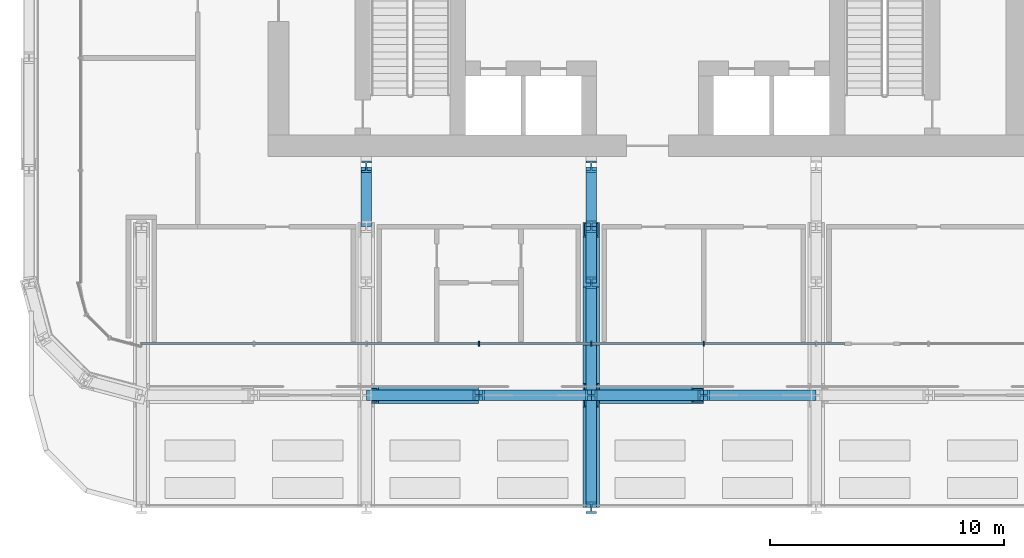
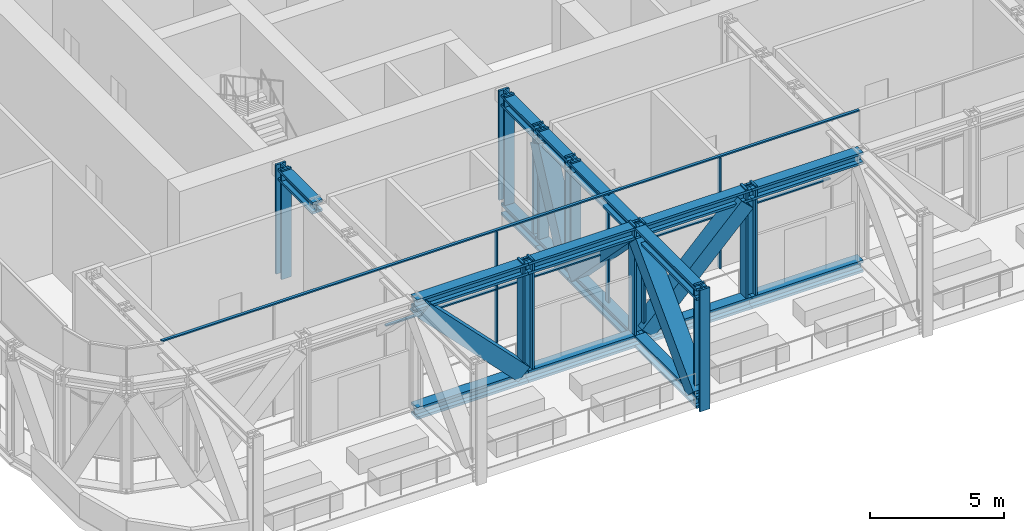
# One storey, part 2 of 23: 38 members, 1 element without a shape of its own.
"""IFC4 building model written with IfcOpenShell, lengths in metres."""

from ifc_helpers import new_model, si_unit, direction, frame, origin, origin_2d, place, context, subcontext, project, spatial, rectangle, hollow_rectangle, i_section, extrude, material, layer, layer_set, material_profile, profile_set, type_object, element, aggregate, save


model = new_model("IFC4")

# Units and contexts
model_context = context("Model", 3, precision=1e-05, world=origin(), true_north=direction((0.0, 1.0)))
body_context = subcontext(model_context, "Body", "Model", "MODEL_VIEW")
ifc_project = project(units=[si_unit("LENGTHUNIT", "METRE"), si_unit("AREAUNIT", "SQUARE_METRE"), si_unit("VOLUMEUNIT", "CUBIC_METRE"), si_unit("PLANEANGLEUNIT", "RADIAN"), si_unit("MASSUNIT", "GRAM", prefix="KILO")], contexts=[model_context])

# Site, building, storey
site_placement = place(None, origin())
site = spatial("IfcSite", under=ifc_project, at=site_placement, CompositionType="ELEMENT")
building_placement = place(site_placement, origin())
building = spatial("IfcBuilding", under=site, at=building_placement, Name="Madar Terraces", CompositionType="ELEMENT")
storey_placement = place(building_placement, frame((0.0, 0.0, 83.800048828125)))
storey = spatial("IfcBuildingStorey", under=building, at=storey_placement, Name="L21", CompositionType="ELEMENT", Elevation=83.800048828125)

# Members
ifc_material_1 = material(Name="Steel ASTM A913 Grade 65", Category="steel")
ifc_material_profile_1 = material_profile(ifc_material_1, i_section(OverallWidth=0.449462890625, OverallDepth=0.548583984375, WebThickness=0.07177734375, FlangeThickness=0.11474609375, at=origin_2d()), Name="W14x665")
ifc_profile_set_1 = profile_set([ifc_material_profile_1], Name="Steel ASTM A913 Grade 65")
member_type_1 = type_object("IfcMemberType", Name="BC3 W14x665", PredefinedType="CHORD", material=ifc_profile_set_1)
for number, where, z_axis, x_axis, name in (
    (1, (19.199951171875, 4.800048828125, -0.145751953125), (1.0, 0.0, 0.0), (0.0, 1.0, 0.0), "Exoskeleton truss ring bottom chord BC3"),
    (2, (24.0, 4.800048828125, -0.145751953125), (1.0, 0.0, 0.0), (0.0, 1.0, 0.0), "Exoskeleton truss ring bottom chord BC3"),
    (3, (28.800048828125, 4.800048828125, -0.145751953125), (1.0, 0.0, 0.0), (0.0, 1.0, 0.0), "Exoskeleton truss ring bottom chord BC3"),
):
    element("IfcMember", number, at=place(storey_placement, frame(where, z_axis=z_axis, x_axis=x_axis)), inside=storey, type_object=member_type_1, Name=name, PredefinedType="CHORD", context=body_context, shape_type="SweptSolid", body=[
        extrude(i_section(OverallWidth=0.449462890625, OverallDepth=0.548583984375, WebThickness=0.07177734375, FlangeThickness=0.11474609375, at=origin_2d()), origin(), (0.0, 0.0, 1.0), 4.800048828125),
    ])
member_1_placement = place(storey_placement, frame((33.60009765625, 4.800048828125, -0.145751953125), z_axis=(1.0, 0.0, 0.0), x_axis=(0.0, 1.0, 0.0)))
element("IfcMember", 4, at=member_1_placement, inside=storey, type_object=member_type_1, Name="Exoskeleton truss ring bottom chord BC3", PredefinedType="CHORD", context=body_context, shape_type="SweptSolid", body=[
    extrude(i_section(OverallWidth=0.449462890625, OverallDepth=0.548583984375, WebThickness=0.07177734375, FlangeThickness=0.11474609375, at=origin_2d()), origin(), (0.0, 0.0, 1.0), 4.7998046875),
])
for number, where, z_axis, x_axis, name in (
    (5, (28.800048828125, 0.0, -0.145751953125), (0.0, 1.0, 0.0), (-1.0, 0.0, 0.0), "Exoskeleton truss cross S28.8 bottom chord BC3"),
    (6, (28.800048828125, 5.02490234375, -0.145751953125), (0.0, 1.0, 0.0), (-1.0, 0.0, 0.0), "Exoskeleton truss cross S28.8 bottom chord BC3"),
):
    element("IfcMember", number, at=place(storey_placement, frame(where, z_axis=z_axis, x_axis=x_axis)), inside=storey, type_object=member_type_1, Name=name, PredefinedType="CHORD", context=body_context, shape_type="SweptSolid", body=[
        extrude(i_section(OverallWidth=0.449462890625, OverallDepth=0.548583984375, WebThickness=0.07177734375, FlangeThickness=0.11474609375, at=origin_2d()), origin(), (0.0, 0.0, 1.0), 4.5751953125),
    ])
member_2_placement = place(storey_placement, frame((28.800048828125, 9.60009765625, -0.145751953125), z_axis=(0.0, 1.0, 0.0), x_axis=(-1.0, 0.0, 0.0)))
element("IfcMember", 7, at=member_2_placement, inside=storey, type_object=member_type_1, Name="Exoskeleton truss cross S28.8 bottom chord BC3", PredefinedType="CHORD", context=body_context, shape_type="SweptSolid", body=[
    extrude(i_section(OverallWidth=0.449462890625, OverallDepth=0.548583984375, WebThickness=0.07177734375, FlangeThickness=0.11474609375, at=origin_2d()), origin(), (0.0, 0.0, 1.0), 2.39990234375),
])
member_3_placement = place(storey_placement, frame((28.800048828125, 12.0, -0.145751953125), z_axis=(0.0, 1.0, 0.0), x_axis=(-1.0, 0.0, 0.0)))
element("IfcMember", 8, at=member_3_placement, inside=storey, type_object=member_type_1, Name="Exoskeleton truss cross S28.8 bottom chord BC3", PredefinedType="CHORD", context=body_context, shape_type="SweptSolid", body=[
    extrude(i_section(OverallWidth=0.449462890625, OverallDepth=0.548583984375, WebThickness=0.07177734375, FlangeThickness=0.11474609375, at=origin_2d()), origin(), (0.0, 0.0, 1.0), 2.550048828125),
])

# Curtain wall, members
ifc_material_2 = material(Name="Glass, ceramic frit dark grey, with black aluminium frame", Category="aluminium")
ifc_layer = layer(ifc_material_2, 0.199951171875)
ifc_layer_set = layer_set([ifc_layer], Name="Facade curtain wall, tall glazing")
curtain_wall_type = type_object("IfcCurtainWallType", Name="Facade curtain wall, tall glazing", PredefinedType="NOTDEFINED", material=ifc_layer_set)
curtain_wall_placement = place(storey_placement, origin())
curtain_wall = element("IfcCurtainWall", 9, at=curtain_wall_placement, inside=storey, type_object=curtain_wall_type, Name="Outer skin curtain wall south bay 1", PredefinedType="NOTDEFINED")
ifc_material_3 = material(Name="Aluminium, black anodised", Category="aluminium")
ifc_material_profile_2 = material_profile(ifc_material_3, rectangle(XDim=0.199951171875, YDim=0.06005859375, at=origin_2d()), Name="Facade mullion 60x200")
ifc_profile_set_2 = profile_set([ifc_material_profile_2], Name="Aluminium, black anodised")
member_type_2 = type_object("IfcMemberType", Name="Facade mullion 60x200", PredefinedType="MULLION", material=ifc_profile_set_2)
member_4_placement = place(storey_placement, frame((24.0, 7.0, 0.0), z_axis=(0.0, 0.0, 1.0), x_axis=(0.0, 1.0, 0.0)))
member_4 = element("IfcMember", 10, at=member_4_placement, type_object=member_type_2, Name="Mullion 3", PredefinedType="MULLION", context=body_context, shape_type="SweptSolid", body=[
    extrude(rectangle(XDim=0.199951171875, YDim=0.06005859375, at=origin_2d()), origin(), (0.0, 0.0, 1.0), 5.0400390625),
])
member_5_placement = place(storey_placement, frame((28.800048828125, 7.0, 0.0), z_axis=(0.0, 0.0, 1.0), x_axis=(0.0, 1.0, 0.0)))
member_5 = element("IfcMember", 11, at=member_5_placement, type_object=member_type_2, Name="Mullion 4", PredefinedType="MULLION", context=body_context, shape_type="SweptSolid", body=[
    extrude(rectangle(XDim=0.199951171875, YDim=0.06005859375, at=origin_2d()), origin(), (0.0, 0.0, 1.0), 5.0400390625),
])
member_6_placement = place(storey_placement, frame((33.60009765625, 7.0, 0.0), z_axis=(0.0, 0.0, 1.0), x_axis=(0.0, 1.0, 0.0)))
member_6 = element("IfcMember", 12, at=member_6_placement, type_object=member_type_2, Name="Mullion 5", PredefinedType="MULLION", context=body_context, shape_type="SweptSolid", body=[
    extrude(rectangle(XDim=0.199951171875, YDim=0.06005859375, at=origin_2d()), origin(), (0.0, 0.0, 1.0), 5.0400390625),
])
ifc_material_4 = material(Name="Aluminium, black anodised", Category="aluminium")
ifc_material_profile_3 = material_profile(ifc_material_4, rectangle(XDim=0.1201171875, YDim=0.06005859375, at=origin_2d()), Name="Facade transom 60x120")
ifc_profile_set_3 = profile_set([ifc_material_profile_3], Name="Aluminium, black anodised")
member_type_3 = type_object("IfcMemberType", Name="Facade transom 60x120", PredefinedType="USERDEFINED", material=ifc_profile_set_3)
member_7_placement = place(storey_placement, frame((9.60009765625, 7.0, 5.070068359375), z_axis=(1.0, 0.0, 0.0), x_axis=(0.0, 1.0, 0.0)))
member_7 = element("IfcMember", 13, at=member_7_placement, type_object=member_type_3, Name="Transom 1", ObjectType="TRANSOM", PredefinedType="USERDEFINED", context=body_context, shape_type="SweptSolid", body=[
    extrude(rectangle(XDim=0.1201171875, YDim=0.06005859375, at=origin_2d()), origin(), (0.0, 0.0, 1.0), 30.0),
])
member_8_placement = place(storey_placement, frame((19.22998046875, 7.0, 2.39990234375), z_axis=(1.0, 0.0, 0.0), x_axis=(0.0, 1.0, 0.0)))
member_8 = element("IfcMember", 14, at=member_8_placement, type_object=member_type_3, Name="Transom 4", ObjectType="TRANSOM", PredefinedType="USERDEFINED", context=body_context, shape_type="SweptSolid", body=[
    extrude(rectangle(XDim=0.1201171875, YDim=0.06005859375, at=origin_2d()), origin(), (0.0, 0.0, 1.0), 4.739990234375),
])
member_9_placement = place(storey_placement, frame((24.030029296875, 7.0, 2.39990234375), z_axis=(1.0, 0.0, 0.0), x_axis=(0.0, 1.0, 0.0)))
member_9 = element("IfcMember", 15, at=member_9_placement, type_object=member_type_3, Name="Transom 5", ObjectType="TRANSOM", PredefinedType="USERDEFINED", context=body_context, shape_type="SweptSolid", body=[
    extrude(rectangle(XDim=0.1201171875, YDim=0.06005859375, at=origin_2d()), origin(), (0.0, 0.0, 1.0), 4.739990234375),
])
member_10_placement = place(storey_placement, frame((28.830078125, 7.0, 2.39990234375), z_axis=(1.0, 0.0, 0.0), x_axis=(0.0, 1.0, 0.0)))
member_10 = element("IfcMember", 16, at=member_10_placement, type_object=member_type_3, Name="Transom 6", ObjectType="TRANSOM", PredefinedType="USERDEFINED", context=body_context, shape_type="SweptSolid", body=[
    extrude(rectangle(XDim=0.1201171875, YDim=0.06005859375, at=origin_2d()), origin(), (0.0, 0.0, 1.0), 4.739990234375),
])
member_11_placement = place(storey_placement, frame((33.6298828125, 7.0, 2.39990234375), z_axis=(1.0, 0.0, 0.0), x_axis=(0.0, 1.0, 0.0)))
member_11 = element("IfcMember", 17, at=member_11_placement, type_object=member_type_3, Name="Transom 7", ObjectType="TRANSOM", PredefinedType="USERDEFINED", context=body_context, shape_type="SweptSolid", body=[
    extrude(rectangle(XDim=0.1201171875, YDim=0.06005859375, at=origin_2d()), origin(), (0.0, 0.0, 1.0), 4.740234375),
])
aggregate(curtain_wall, [member_4, member_5, member_6, member_7, member_8, member_9, member_10, member_11])

# Members
ifc_material_5 = material(Name="Steel ASTM A913 Grade 65", Category="steel")
ifc_material_profile_4 = material_profile(ifc_material_5, i_section(OverallWidth=0.44189453125, OverallDepth=0.53076171875, WebThickness=0.06591796875, FlangeThickness=0.105712890625, at=origin_2d()), Name="W14x605")
ifc_profile_set_4 = profile_set([ifc_material_profile_4], Name="Steel ASTM A913 Grade 65")
member_type_4 = type_object("IfcMemberType", Name="TC3 W14x605", PredefinedType="CHORD", material=ifc_profile_set_4)
for number, where, z_axis, x_axis, name in (
    (18, (19.199951171875, 4.800048828125, 4.764404296875), (1.0, 0.0, 0.0), (0.0, 1.0, 0.0), "Exoskeleton truss ring top chord TC3"),
    (19, (24.0, 4.800048828125, 4.764404296875), (1.0, 0.0, 0.0), (0.0, 1.0, 0.0), "Exoskeleton truss ring top chord TC3"),
    (20, (28.800048828125, 4.800048828125, 4.764404296875), (1.0, 0.0, 0.0), (0.0, 1.0, 0.0), "Exoskeleton truss ring top chord TC3"),
):
    element("IfcMember", number, at=place(storey_placement, frame(where, z_axis=z_axis, x_axis=x_axis)), inside=storey, type_object=member_type_4, Name=name, PredefinedType="CHORD", context=body_context, shape_type="SweptSolid", body=[
        extrude(i_section(OverallWidth=0.44189453125, OverallDepth=0.53076171875, WebThickness=0.06591796875, FlangeThickness=0.105712890625, at=origin_2d()), origin(), (0.0, 0.0, 1.0), 4.800048828125),
    ])
member_12_placement = place(storey_placement, frame((33.60009765625, 4.800048828125, 4.764404296875), z_axis=(1.0, 0.0, 0.0), x_axis=(0.0, 1.0, 0.0)))
element("IfcMember", 21, at=member_12_placement, inside=storey, type_object=member_type_4, Name="Exoskeleton truss ring top chord TC3", PredefinedType="CHORD", context=body_context, shape_type="SweptSolid", body=[
    extrude(i_section(OverallWidth=0.44189453125, OverallDepth=0.53076171875, WebThickness=0.06591796875, FlangeThickness=0.105712890625, at=origin_2d()), origin(), (0.0, 0.0, 1.0), 4.7998046875),
])
member_13_placement = place(storey_placement, frame((19.199951171875, 12.0, 4.764404296875), z_axis=(0.0, 1.0, 0.0), x_axis=(-1.0, 0.0, 0.0)))
element("IfcMember", 22, at=member_13_placement, inside=storey, type_object=member_type_4, Name="Exoskeleton truss cross S19.2 top chord TC3", PredefinedType="CHORD", context=body_context, shape_type="SweptSolid", body=[
    extrude(i_section(OverallWidth=0.44189453125, OverallDepth=0.53076171875, WebThickness=0.06591796875, FlangeThickness=0.105712890625, at=origin_2d()), origin(), (0.0, 0.0, 1.0), 2.550048828125),
])
for number, where, z_axis, x_axis, name in (
    (23, (28.800048828125, 0.0, 4.764404296875), (0.0, 1.0, 0.0), (-1.0, 0.0, 0.0), "Exoskeleton truss cross S28.8 top chord TC3"),
    (24, (28.800048828125, 5.02099609375, 4.764404296875), (0.0, 1.0, 0.0), (-1.0, 0.0, 0.0), "Exoskeleton truss cross S28.8 top chord TC3"),
):
    element("IfcMember", number, at=place(storey_placement, frame(where, z_axis=z_axis, x_axis=x_axis)), inside=storey, type_object=member_type_4, Name=name, PredefinedType="CHORD", context=body_context, shape_type="SweptSolid", body=[
        extrude(i_section(OverallWidth=0.44189453125, OverallDepth=0.53076171875, WebThickness=0.06591796875, FlangeThickness=0.105712890625, at=origin_2d()), origin(), (0.0, 0.0, 1.0), 4.5791015625),
    ])
member_14_placement = place(storey_placement, frame((28.800048828125, 9.60009765625, 4.764404296875), z_axis=(0.0, 1.0, 0.0), x_axis=(-1.0, 0.0, 0.0)))
element("IfcMember", 25, at=member_14_placement, inside=storey, type_object=member_type_4, Name="Exoskeleton truss cross S28.8 top chord TC3", PredefinedType="CHORD", context=body_context, shape_type="SweptSolid", body=[
    extrude(i_section(OverallWidth=0.44189453125, OverallDepth=0.53076171875, WebThickness=0.06591796875, FlangeThickness=0.105712890625, at=origin_2d()), origin(), (0.0, 0.0, 1.0), 2.39990234375),
])
member_15_placement = place(storey_placement, frame((28.800048828125, 12.0, 4.764404296875), z_axis=(0.0, 1.0, 0.0), x_axis=(-1.0, 0.0, 0.0)))
element("IfcMember", 26, at=member_15_placement, inside=storey, type_object=member_type_4, Name="Exoskeleton truss cross S28.8 top chord TC3", PredefinedType="CHORD", context=body_context, shape_type="SweptSolid", body=[
    extrude(i_section(OverallWidth=0.44189453125, OverallDepth=0.53076171875, WebThickness=0.06591796875, FlangeThickness=0.105712890625, at=origin_2d()), origin(), (0.0, 0.0, 1.0), 2.550048828125),
])
ifc_material_6 = material(Name="Steel ASTM A572 Grade 50", Category="steel")
ifc_material_profile_5 = material_profile(ifc_material_6, hollow_rectangle(XDim=0.699951171875, YDim=0.699951171875, WallThickness=0.070068359375, at=origin_2d()), Name="BOX700x700x70")
ifc_profile_set_5 = profile_set([ifc_material_profile_5], Name="Steel ASTM A572 Grade 50")
member_type_5 = type_object("IfcMemberType", Name="TD3 BOX700x700x70", PredefinedType="BRACE", material=ifc_profile_set_5)
for number, where, z_axis, x_axis, name in (
    (27, (19.45947265625, 4.800048828125, 4.4990234375), (0.699052279579, 0.0, -0.715070563242), (0.0, 1.0, 0.0), "Exoskeleton truss ring diagonal TD3"),
    (28, (29.068115234375, 4.800048828125, 0.128662109375), (0.699052279579, 0.0, 0.715070563242), (0.0, 1.0, 0.0), "Exoskeleton truss ring diagonal TD3"),
    (29, (28.800048828125, 0.26806640625, 0.128662109375), (0.0, 0.699052279579, 0.715070563242), (-1.0, 0.0, 0.0), "Exoskeleton truss cross S28.8 diagonal TD3"),
):
    element("IfcMember", number, at=place(storey_placement, frame(where, z_axis=z_axis, x_axis=x_axis)), inside=storey, type_object=member_type_5, Name=name, PredefinedType="BRACE", context=body_context, shape_type="SweptSolid", body=[
        extrude(hollow_rectangle(XDim=0.699951171875, YDim=0.699951171875, WallThickness=0.070068359375, at=origin_2d()), origin(), (0.0, 0.0, 1.0), 6.11181640625),
    ])
member_16_placement = place(storey_placement, frame((28.800048828125, 5.0595703125, 4.4990234375), z_axis=(0.0, 0.699031853378, -0.715090531306), x_axis=(-1.0, 0.0, 0.0)))
element("IfcMember", 30, at=member_16_placement, inside=storey, type_object=member_type_5, Name="Exoskeleton truss cross S28.8 diagonal TD3", PredefinedType="BRACE", context=body_context, shape_type="SweptSolid", body=[
    extrude(hollow_rectangle(XDim=0.699951171875, YDim=0.699951171875, WallThickness=0.070068359375, at=origin_2d()), origin(), (0.0, 0.0, 1.0), 6.111572265625),
])
member_17_placement = place(storey_placement, frame((28.800048828125, 9.734130859375, 0.128662109375), z_axis=(0.0, 0.439145320484, 0.898416043655), x_axis=(-1.0, 0.0, 0.0)))
element("IfcMember", 31, at=member_17_placement, inside=storey, type_object=member_type_5, Name="Exoskeleton truss cross S28.8 diagonal TD3", PredefinedType="BRACE", context=body_context, shape_type="SweptSolid", body=[
    extrude(hollow_rectangle(XDim=0.699951171875, YDim=0.699951171875, WallThickness=0.070068359375, at=origin_2d()), origin(), (0.0, 0.0, 1.0), 4.864501953125),
])
ifc_material_7 = material(Name="Steel ASTM A913 Grade 65", Category="steel")
ifc_material_profile_6 = material_profile(ifc_material_7, i_section(OverallWidth=0.431884765625, OverallDepth=0.497802734375, WebThickness=0.0556640625, FlangeThickness=0.0888671875, at=origin_2d()), Name="W14x500")
ifc_profile_set_6 = profile_set([ifc_material_profile_6], Name="Steel ASTM A913 Grade 65")
member_type_6 = type_object("IfcMemberType", Name="TV3 W14x500", PredefinedType="POST", material=ifc_profile_set_6)
for number, where, z_axis, x_axis, name in (
    (32, (24.0, 4.800048828125, 0.128662109375), (0.0, 0.0, 1.0), (0.0, 1.0, 0.0), "Exoskeleton truss ring post TV3"),
    (33, (28.800048828125, 4.800048828125, 0.128662109375), (0.0, 0.0, 1.0), (0.0, 1.0, 0.0), "Exoskeleton truss ring post TV3"),
    (34, (33.60009765625, 4.800048828125, 0.128662109375), (0.0, 0.0, 1.0), (0.0, 1.0, 0.0), "Exoskeleton truss ring post TV3"),
    (35, (19.199951171875, 14.550048828125, 0.128662109375), (0.0, 0.0, 1.0), (-1.0, 0.0, 0.0), "Exoskeleton truss cross S19.2 post TV3"),
):
    element("IfcMember", number, at=place(storey_placement, frame(where, z_axis=z_axis, x_axis=x_axis)), inside=storey, type_object=member_type_6, Name=name, PredefinedType="POST", context=body_context, shape_type="SweptSolid", body=[
        extrude(i_section(OverallWidth=0.431884765625, OverallDepth=0.497802734375, WebThickness=0.0556640625, FlangeThickness=0.0888671875, at=origin_2d()), origin(), (0.0, 0.0, 1.0), 4.97119140625),
    ])
member_18_placement = place(storey_placement, frame((28.800048828125, 0.0, -0.420166015625), z_axis=(0.0, 0.0, 1.0), x_axis=(-1.0, 0.0, 0.0)))
element("IfcMember", 36, at=member_18_placement, inside=storey, type_object=member_type_6, Name="Exoskeleton truss cross S28.8 post TV3", PredefinedType="POST", context=body_context, shape_type="SweptSolid", body=[
    extrude(i_section(OverallWidth=0.431884765625, OverallDepth=0.497802734375, WebThickness=0.0556640625, FlangeThickness=0.0888671875, at=origin_2d()), origin(), (0.0, 0.0, 1.0), 5.52001953125),
])
for number, where, z_axis, x_axis, name in (
    (37, (28.800048828125, 9.60009765625, 0.128662109375), (0.0, 0.0, 1.0), (-1.0, 0.0, 0.0), "Exoskeleton truss cross S28.8 post TV3"),
    (38, (28.800048828125, 12.0, 0.128662109375), (0.0, 0.0, 1.0), (-1.0, 0.0, 0.0), "Exoskeleton truss cross S28.8 post TV3"),
    (39, (28.800048828125, 14.550048828125, 0.128662109375), (0.0, 0.0, 1.0), (-1.0, 0.0, 0.0), "Exoskeleton truss cross S28.8 post TV3"),
):
    element("IfcMember", number, at=place(storey_placement, frame(where, z_axis=z_axis, x_axis=x_axis)), inside=storey, type_object=member_type_6, Name=name, PredefinedType="POST", context=body_context, shape_type="SweptSolid", body=[
        extrude(i_section(OverallWidth=0.431884765625, OverallDepth=0.497802734375, WebThickness=0.0556640625, FlangeThickness=0.0888671875, at=origin_2d()), origin(), (0.0, 0.0, 1.0), 4.97119140625),
    ])

save(model, "model.ifc")
